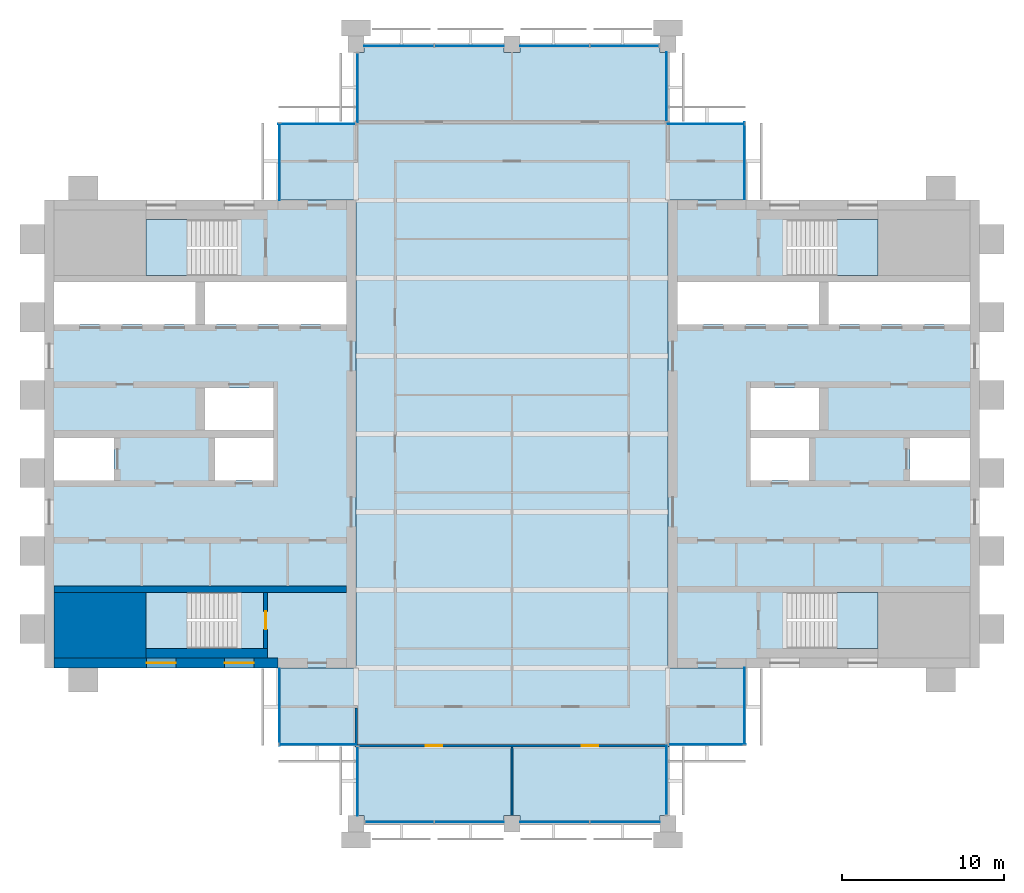
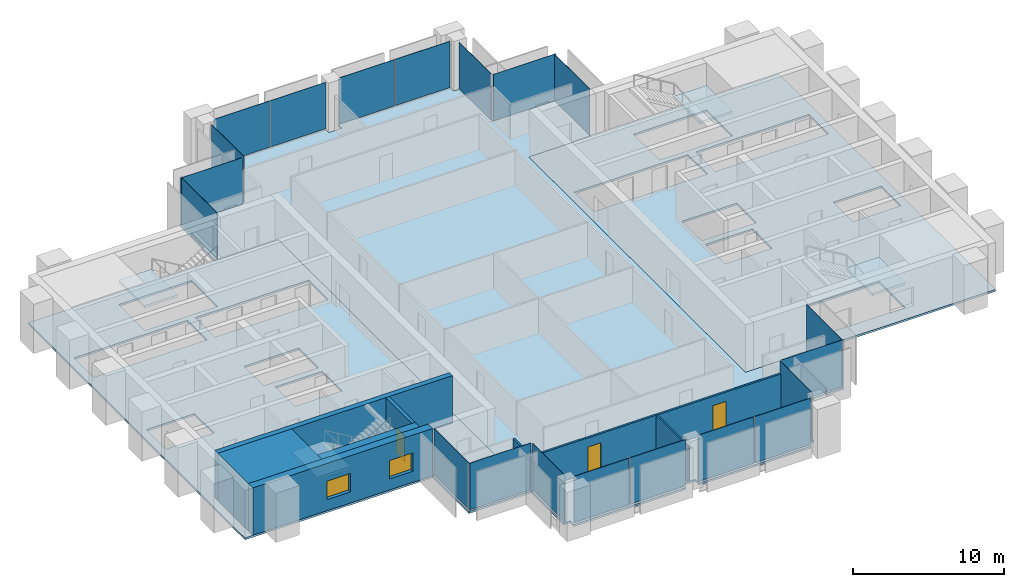
# One storey, part 7 of 12: 20 plates, 8 walls, 7 slabs, 3 doors, 2 windows, 5 openings, 18 elements without a shape of their own.
"""IFC4 building model written with IfcOpenShell, lengths in metres."""

from ifc_helpers import new_model, si_unit, direction, frame, frame_2d, origin, origin_2d, place, context, subcontext, project, spatial, polyline, rectangle, outline, extrude, material, layer, layer_set, type_object, element, fill, aggregate, save


model = new_model("IFC4")

# Units and contexts
model_context = context("Model", 3, precision=1e-05, world=origin(), true_north=direction((0.0, 1.0)))
body_context = subcontext(model_context, "Body", "Model", "MODEL_VIEW")
ifc_project = project(units=[si_unit("LENGTHUNIT", "METRE"), si_unit("AREAUNIT", "SQUARE_METRE"), si_unit("VOLUMEUNIT", "CUBIC_METRE"), si_unit("PLANEANGLEUNIT", "RADIAN"), si_unit("MASSUNIT", "GRAM", prefix="KILO")], contexts=[model_context])

# Site, building, storey
site_placement = place(None, origin())
site = spatial("IfcSite", under=ifc_project, at=site_placement, CompositionType="ELEMENT")
building_placement = place(site_placement, origin())
building = spatial("IfcBuilding", under=site, at=building_placement, Name="Baori Bourse Tower", CompositionType="ELEMENT")
storey_placement = place(building_placement, frame((0.0, 0.0, 310.300048828125)))
storey = spatial("IfcBuildingStorey", under=building, at=storey_placement, Name="L68", CompositionType="ELEMENT", Elevation=310.300048828125)

# Curtain wall, plate
ifc_material_1 = material(Name="Pale anodised aluminium", Category="aluminium")
curtain_wall_type_1 = type_object("IfcCurtainWallType", Name="CW2 Curtain wall", PredefinedType="NOTDEFINED", material=ifc_material_1)
curtain_wall_1_placement = place(storey_placement, origin())
curtain_wall_1 = element("IfcCurtainWall", 1, at=curtain_wall_1_placement, inside=storey, type_object=curtain_wall_type_1, Name="Curtain wall CW2 L68 1", PredefinedType="NOTDEFINED")
ifc_material_2 = material(Name="Clear glass", Category="glass")
ifc_layer_1 = layer(ifc_material_2, 0.030029296875)
ifc_layer_set_1 = layer_set([ifc_layer_1], Name="CW2 Curtain wall panel")
plate_type_1 = type_object("IfcPlateType", Name="CW2 Curtain wall panel", PredefinedType="CURTAIN_PANEL", material=ifc_layer_set_1)
plate_1_placement = place(storey_placement, frame((43.110107421875, 40.827392578125, 0.06982421875), z_axis=(0.0, 0.0, 1.0), x_axis=(0.0, 1.0, 0.0)))
plate_1 = element("IfcPlate", 2, at=plate_1_placement, type_object=plate_type_1, Name="Curtain wall CW2 panel", PredefinedType="CURTAIN_PANEL", context=body_context, shape_type="SweptSolid", body=[
    extrude(rectangle(XDim=4.7451171875, YDim=0.030029296875, at=origin_2d()), origin(), (0.0, 0.0, 1.0), 3.77001953125),
])
aggregate(curtain_wall_1, [plate_1])

curtain_wall_2_placement = place(storey_placement, origin())
curtain_wall_2 = element("IfcCurtainWall", 3, at=curtain_wall_2_placement, inside=storey, type_object=curtain_wall_type_1, Name="Curtain wall CW2 L68 2", PredefinedType="NOTDEFINED")
plate_2_placement = place(storey_placement, frame((40.7724609375, 43.110107421875, 0.06982421875), z_axis=(0.0, 0.0, 1.0), x_axis=(-1.0, 0.0, 0.0)))
plate_2 = element("IfcPlate", 4, at=plate_2_placement, type_object=plate_type_1, Name="Curtain wall CW2 panel", PredefinedType="CURTAIN_PANEL", context=body_context, shape_type="SweptSolid", body=[
    extrude(rectangle(XDim=4.7451171875, YDim=0.030029296875, at=origin_2d()), origin(), (0.0, 0.0, 1.0), 3.77001953125),
])
aggregate(curtain_wall_2, [plate_2])

curtain_wall_3_placement = place(storey_placement, origin())
curtain_wall_3 = element("IfcCurtainWall", 5, at=curtain_wall_3_placement, inside=storey, type_object=curtain_wall_type_1, Name="Curtain wall CW2 L68 3", PredefinedType="NOTDEFINED")
plate_3_placement = place(storey_placement, frame((38.31005859375, 45.37744140625, 0.06982421875), z_axis=(0.0, 0.0, 1.0), x_axis=(0.0, 1.0, 0.0)))
plate_3 = element("IfcPlate", 6, at=plate_3_placement, type_object=plate_type_1, Name="Curtain wall CW2 panel", PredefinedType="CURTAIN_PANEL", context=body_context, shape_type="SweptSolid", body=[
    extrude(rectangle(XDim=4.2451171875, YDim=0.030029296875, at=origin_2d()), origin(), (0.0, 0.0, 1.0), 3.77001953125),
])
aggregate(curtain_wall_3, [plate_3])

curtain_wall_4_placement = place(storey_placement, origin())
curtain_wall_4 = element("IfcCurtainWall", 7, at=curtain_wall_4_placement, inside=storey, type_object=curtain_wall_type_1, Name="Curtain wall CW2 L68 5", PredefinedType="NOTDEFINED")
plate_4_placement = place(storey_placement, frame((19.2900390625, 45.322509765625, 0.06982421875), z_axis=(0.0, 0.0, 1.0), x_axis=(0.0, -1.0, 0.0)))
plate_4 = element("IfcPlate", 8, at=plate_4_placement, type_object=plate_type_1, Name="Curtain wall CW2 panel", PredefinedType="CURTAIN_PANEL", context=body_context, shape_type="SweptSolid", body=[
    extrude(rectangle(XDim=4.2451171875, YDim=0.030029296875, at=origin_2d()), origin(), (0.0, 0.0, 1.0), 3.77001953125),
])
aggregate(curtain_wall_4, [plate_4])

curtain_wall_5_placement = place(storey_placement, origin())
curtain_wall_5 = element("IfcCurtainWall", 9, at=curtain_wall_5_placement, inside=storey, type_object=curtain_wall_type_1, Name="Curtain wall CW2 L68 6", PredefinedType="NOTDEFINED")
plate_5_placement = place(storey_placement, frame((16.7724609375, 43.110107421875, 0.06982421875), z_axis=(0.0, 0.0, 1.0), x_axis=(-1.0, 0.0, 0.0)))
plate_5 = element("IfcPlate", 10, at=plate_5_placement, type_object=plate_type_1, Name="Curtain wall CW2 panel", PredefinedType="CURTAIN_PANEL", context=body_context, shape_type="SweptSolid", body=[
    extrude(rectangle(XDim=4.7451171875, YDim=0.030029296875, at=origin_2d()), origin(), (0.0, 0.0, 1.0), 3.77001953125),
])
aggregate(curtain_wall_5, [plate_5])

curtain_wall_6_placement = place(storey_placement, origin())
curtain_wall_6 = element("IfcCurtainWall", 11, at=curtain_wall_6_placement, inside=storey, type_object=curtain_wall_type_1, Name="Curtain wall CW2 L68 7", PredefinedType="NOTDEFINED")
plate_6_placement = place(storey_placement, frame((14.489990234375, 40.7724609375, 0.06982421875), z_axis=(0.0, 0.0, 1.0), x_axis=(0.0, -1.0, 0.0)))
plate_6 = element("IfcPlate", 12, at=plate_6_placement, type_object=plate_type_1, Name="Curtain wall CW2 panel", PredefinedType="CURTAIN_PANEL", context=body_context, shape_type="SweptSolid", body=[
    extrude(rectangle(XDim=4.7451171875, YDim=0.030029296875, at=origin_2d()), origin(), (0.0, 0.0, 1.0), 3.77001953125),
])
aggregate(curtain_wall_6, [plate_6])

curtain_wall_7_placement = place(storey_placement, origin())
curtain_wall_7 = element("IfcCurtainWall", 13, at=curtain_wall_7_placement, inside=storey, type_object=curtain_wall_type_1, Name="Curtain wall CW2 L68 8", PredefinedType="NOTDEFINED")
plate_7_placement = place(storey_placement, frame((14.489990234375, 7.172607421875, 0.06982421875), z_axis=(0.0, 0.0, 1.0), x_axis=(0.0, -1.0, 0.0)))
plate_7 = element("IfcPlate", 14, at=plate_7_placement, type_object=plate_type_1, Name="Curtain wall CW2 panel", PredefinedType="CURTAIN_PANEL", context=body_context, shape_type="SweptSolid", body=[
    extrude(rectangle(XDim=4.7451171875, YDim=0.030029296875, at=origin_2d()), origin(), (0.0, 0.0, 1.0), 3.77001953125),
])
aggregate(curtain_wall_7, [plate_7])

curtain_wall_8_placement = place(storey_placement, origin())
curtain_wall_8 = element("IfcCurtainWall", 15, at=curtain_wall_8_placement, inside=storey, type_object=curtain_wall_type_1, Name="Curtain wall CW2 L68 9", PredefinedType="NOTDEFINED")
plate_8_placement = place(storey_placement, frame((16.827392578125, 4.889892578125, 0.06982421875), z_axis=(0.0, 0.0, 1.0), x_axis=(1.0, 0.0, 0.0)))
plate_8 = element("IfcPlate", 16, at=plate_8_placement, type_object=plate_type_1, Name="Curtain wall CW2 panel", PredefinedType="CURTAIN_PANEL", context=body_context, shape_type="SweptSolid", body=[
    extrude(rectangle(XDim=4.7451171875, YDim=0.030029296875, at=origin_2d()), origin(), (0.0, 0.0, 1.0), 3.77001953125),
])
aggregate(curtain_wall_8, [plate_8])

curtain_wall_9_placement = place(storey_placement, origin())
curtain_wall_9 = element("IfcCurtainWall", 17, at=curtain_wall_9_placement, inside=storey, type_object=curtain_wall_type_1, Name="Curtain wall CW2 L68 10", PredefinedType="NOTDEFINED")
plate_9_placement = place(storey_placement, frame((19.2900390625, 2.62255859375, 0.06982421875), z_axis=(0.0, 0.0, 1.0), x_axis=(0.0, -1.0, 0.0)))
plate_9 = element("IfcPlate", 18, at=plate_9_placement, type_object=plate_type_1, Name="Curtain wall CW2 panel", PredefinedType="CURTAIN_PANEL", context=body_context, shape_type="SweptSolid", body=[
    extrude(rectangle(XDim=4.2451171875, YDim=0.030029296875, at=origin_2d()), origin(), (0.0, 0.0, 1.0), 3.77001953125),
])
aggregate(curtain_wall_9, [plate_9])

curtain_wall_10_placement = place(storey_placement, origin())
curtain_wall_10 = element("IfcCurtainWall", 19, at=curtain_wall_10_placement, inside=storey, type_object=curtain_wall_type_1, Name="Curtain wall CW2 L68 12", PredefinedType="NOTDEFINED")
plate_10_placement = place(storey_placement, frame((38.31005859375, 2.677490234375, 0.06982421875), z_axis=(0.0, 0.0, 1.0), x_axis=(0.0, 1.0, 0.0)))
plate_10 = element("IfcPlate", 20, at=plate_10_placement, type_object=plate_type_1, Name="Curtain wall CW2 panel", PredefinedType="CURTAIN_PANEL", context=body_context, shape_type="SweptSolid", body=[
    extrude(rectangle(XDim=4.2451171875, YDim=0.030029296875, at=origin_2d()), origin(), (0.0, 0.0, 1.0), 3.77001953125),
])
aggregate(curtain_wall_10, [plate_10])

curtain_wall_11_placement = place(storey_placement, origin())
curtain_wall_11 = element("IfcCurtainWall", 21, at=curtain_wall_11_placement, inside=storey, type_object=curtain_wall_type_1, Name="Curtain wall CW2 L68 13", PredefinedType="NOTDEFINED")
plate_11_placement = place(storey_placement, frame((40.827392578125, 4.889892578125, 0.06982421875), z_axis=(0.0, 0.0, 1.0), x_axis=(1.0, 0.0, 0.0)))
plate_11 = element("IfcPlate", 22, at=plate_11_placement, type_object=plate_type_1, Name="Curtain wall CW2 panel", PredefinedType="CURTAIN_PANEL", context=body_context, shape_type="SweptSolid", body=[
    extrude(rectangle(XDim=4.7451171875, YDim=0.030029296875, at=origin_2d()), origin(), (0.0, 0.0, 1.0), 3.77001953125),
])
aggregate(curtain_wall_11, [plate_11])

curtain_wall_12_placement = place(storey_placement, origin())
curtain_wall_12 = element("IfcCurtainWall", 23, at=curtain_wall_12_placement, inside=storey, type_object=curtain_wall_type_1, Name="Curtain wall CW2 L68 14", PredefinedType="NOTDEFINED")
plate_12_placement = place(storey_placement, frame((43.110107421875, 7.2275390625, 0.06982421875), z_axis=(0.0, 0.0, 1.0), x_axis=(0.0, 1.0, 0.0)))
plate_12 = element("IfcPlate", 24, at=plate_12_placement, type_object=plate_type_1, Name="Curtain wall CW2 panel", PredefinedType="CURTAIN_PANEL", context=body_context, shape_type="SweptSolid", body=[
    extrude(rectangle(XDim=4.7451171875, YDim=0.030029296875, at=origin_2d()), origin(), (0.0, 0.0, 1.0), 3.77001953125),
])
aggregate(curtain_wall_12, [plate_12])

# Curtain wall, plates
ifc_material_3 = material(Name="Pale anodised aluminium", Category="aluminium")
curtain_wall_type_2 = type_object("IfcCurtainWallType", Name="CW5 Curtain wall", PredefinedType="NOTDEFINED", material=ifc_material_3)
curtain_wall_13_placement = place(storey_placement, origin())
curtain_wall_13 = element("IfcCurtainWall", 25, at=curtain_wall_13_placement, inside=storey, type_object=curtain_wall_type_2, Name="Curtain wall CW5 L68 4", PredefinedType="NOTDEFINED")
ifc_material_4 = material(Name="Clear glass", Category="glass")
ifc_layer_2 = layer(ifc_material_4, 0.035888671875)
ifc_layer_set_2 = layer_set([ifc_layer_2], Name="CW5 Curtain wall panel")
plate_type_2 = type_object("IfcPlateType", Name="CW5 Curtain wall panel", PredefinedType="CURTAIN_PANEL", material=ifc_layer_set_2)
plate_13_placement = place(storey_placement, frame((35.733642578125, 47.889892578125, 0.0849609375), z_axis=(0.0, 0.0, 1.0), x_axis=(-1.0, 0.0, 0.0)))
plate_13 = element("IfcPlate", 26, at=plate_13_placement, type_object=plate_type_2, Name="Curtain wall CW5 panel", PredefinedType="CURTAIN_PANEL", context=body_context, shape_type="SweptSolid", body=[
    extrude(rectangle(XDim=4.202392578125, YDim=0.035888671875, at=origin_2d()), origin(), (0.0, 0.0, 1.0), 3.7548828125),
])
plate_14_placement = place(storey_placement, frame((31.433837890625, 47.889892578125, 0.0849609375), z_axis=(0.0, 0.0, 1.0), x_axis=(-1.0, 0.0, 0.0)))
plate_14 = element("IfcPlate", 27, at=plate_14_placement, type_object=plate_type_2, Name="Curtain wall CW5 panel", PredefinedType="CURTAIN_PANEL", context=body_context, shape_type="SweptSolid", body=[
    extrude(rectangle(XDim=4.267578125, YDim=0.035888671875, at=origin_2d()), origin(), (0.0, 0.0, 1.0), 3.7548828125),
])
plate_15_placement = place(storey_placement, frame((26.166259765625, 47.889892578125, 0.0849609375), z_axis=(0.0, 0.0, 1.0), x_axis=(-1.0, 0.0, 0.0)))
plate_15 = element("IfcPlate", 28, at=plate_15_placement, type_object=plate_type_2, Name="Curtain wall CW5 panel", PredefinedType="CURTAIN_PANEL", context=body_context, shape_type="SweptSolid", body=[
    extrude(rectangle(XDim=4.267578125, YDim=0.035888671875, at=origin_2d()), origin(), (0.0, 0.0, 1.0), 3.7548828125),
])
plate_16_placement = place(storey_placement, frame((21.833740234375, 47.889892578125, 0.0849609375), z_axis=(0.0, 0.0, 1.0), x_axis=(-1.0, 0.0, 0.0)))
plate_16 = element("IfcPlate", 29, at=plate_16_placement, type_object=plate_type_2, Name="Curtain wall CW5 panel", PredefinedType="CURTAIN_PANEL", context=body_context, shape_type="SweptSolid", body=[
    extrude(rectangle(XDim=4.267578125, YDim=0.035888671875, at=origin_2d()), origin(), (0.0, 0.0, 1.0), 3.7548828125),
])
aggregate(curtain_wall_13, [plate_13, plate_14, plate_15, plate_16])

curtain_wall_14_placement = place(storey_placement, origin())
curtain_wall_14 = element("IfcCurtainWall", 30, at=curtain_wall_14_placement, inside=storey, type_object=curtain_wall_type_2, Name="Curtain wall CW5 L68 11", PredefinedType="NOTDEFINED")
plate_17_placement = place(storey_placement, frame((21.8662109375, 0.110107421875, 0.0849609375), z_axis=(0.0, 0.0, 1.0), x_axis=(1.0, 0.0, 0.0)))
plate_17 = element("IfcPlate", 31, at=plate_17_placement, type_object=plate_type_2, Name="Curtain wall CW5 panel", PredefinedType="CURTAIN_PANEL", context=body_context, shape_type="SweptSolid", body=[
    extrude(rectangle(XDim=4.202392578125, YDim=0.035888671875, at=origin_2d()), origin(), (0.0, 0.0, 1.0), 3.7548828125),
])
plate_18_placement = place(storey_placement, frame((26.166259765625, 0.110107421875, 0.0849609375), z_axis=(0.0, 0.0, 1.0), x_axis=(1.0, 0.0, 0.0)))
plate_18 = element("IfcPlate", 32, at=plate_18_placement, type_object=plate_type_2, Name="Curtain wall CW5 panel", PredefinedType="CURTAIN_PANEL", context=body_context, shape_type="SweptSolid", body=[
    extrude(rectangle(XDim=4.267578125, YDim=0.035888671875, at=origin_2d()), origin(), (0.0, 0.0, 1.0), 3.7548828125),
])
plate_19_placement = place(storey_placement, frame((31.433837890625, 0.110107421875, 0.0849609375), z_axis=(0.0, 0.0, 1.0), x_axis=(1.0, 0.0, 0.0)))
plate_19 = element("IfcPlate", 33, at=plate_19_placement, type_object=plate_type_2, Name="Curtain wall CW5 panel", PredefinedType="CURTAIN_PANEL", context=body_context, shape_type="SweptSolid", body=[
    extrude(rectangle(XDim=4.267578125, YDim=0.035888671875, at=origin_2d()), origin(), (0.0, 0.0, 1.0), 3.7548828125),
])
plate_20_placement = place(storey_placement, frame((35.766357421875, 0.110107421875, 0.0849609375), z_axis=(0.0, 0.0, 1.0), x_axis=(1.0, 0.0, 0.0)))
plate_20 = element("IfcPlate", 34, at=plate_20_placement, type_object=plate_type_2, Name="Curtain wall CW5 panel", PredefinedType="CURTAIN_PANEL", context=body_context, shape_type="SweptSolid", body=[
    extrude(rectangle(XDim=4.267578125, YDim=0.035888671875, at=origin_2d()), origin(), (0.0, 0.0, 1.0), 3.7548828125),
])
aggregate(curtain_wall_14, [plate_17, plate_18, plate_19, plate_20])

# Slabs
ifc_material_5 = material(Name="Concrete f'c 50 MPa", Category="concrete")
ifc_layer_3 = layer(ifc_material_5, 0.159912109375)
ifc_layer_set_3 = layer_set([ifc_layer_3], Name="Core slab 160")
slab_type_1 = type_object("IfcSlabType", Name="Core slab 160", PredefinedType="FLOOR", material=ifc_layer_set_3)
slab_1_placement = place(storey_placement, frame((0.0, 0.0, -0.16015625)))
element("IfcSlab", 35, at=slab_1_placement, inside=storey, type_object=slab_type_1, Name="Core floor slab W01", PredefinedType="FLOOR", context=body_context, shape_type="SweptSolid", body=[
    extrude(outline(polyline([(19.199951171875, 38.39990234375), (0.0, 38.39990234375), (0.0, 9.60009765625), (19.199951171875, 9.60009765625), (19.199951171875, 38.39990234375)]), holes=[polyline([(9.89990234375, 33.35009765625), (18.60009765625, 33.35009765625), (18.60009765625, 30.75), (9.89990234375, 30.75), (9.89990234375, 33.35009765625)]), polyline([(10.5, 21.14990234375), (10.5, 23.75), (14.10009765625, 23.75), (14.10009765625, 21.14990234375), (10.5, 21.14990234375)]), polyline([(14.10009765625, 24.25), (9.89990234375, 24.25), (9.89990234375, 26.85009765625), (14.10009765625, 26.85009765625), (14.10009765625, 24.25)]), polyline([(6.25, 14.25), (11.84912109375, 14.25), (11.84912109375, 10.800048828125), (6.25, 10.800048828125), (6.25, 14.25)]), polyline([(11.84912109375, 37.199951171875), (11.84912109375, 33.75), (6.25, 33.75), (6.25, 37.199951171875), (11.84912109375, 37.199951171875)]), polyline([(0.60009765625, 30.75), (0.60009765625, 33.35009765625), (9.300048828125, 33.35009765625), (9.300048828125, 30.75), (0.60009765625, 30.75)]), polyline([(4.300048828125, 23.75), (4.300048828125, 21.14990234375), (0.60009765625, 21.14990234375), (0.60009765625, 23.75), (4.300048828125, 23.75)])]), origin(), (0.0, 0.0, 1.0), 0.16015625),
])
slab_2_placement = place(storey_placement, frame((0.0, 0.0, -0.16015625)))
element("IfcSlab", 36, at=slab_2_placement, inside=storey, type_object=slab_type_1, Name="Core floor slab E01", PredefinedType="FLOOR", context=body_context, shape_type="SweptSolid", body=[
    extrude(outline(polyline([(57.60009765625, 9.60009765625), (57.60009765625, 38.39990234375), (38.39990234375, 38.39990234375), (38.39990234375, 9.60009765625), (57.60009765625, 9.60009765625)]), holes=[polyline([(48.300048828125, 33.35009765625), (57.0, 33.35009765625), (57.0, 30.75), (48.300048828125, 30.75), (48.300048828125, 33.35009765625)]), polyline([(57.0, 21.14990234375), (53.300048828125, 21.14990234375), (53.300048828125, 23.75), (57.0, 23.75), (57.0, 21.14990234375)]), polyline([(45.750732421875, 14.25), (51.35009765625, 14.25), (51.35009765625, 10.800048828125), (45.750732421875, 10.800048828125), (45.750732421875, 14.25)]), polyline([(51.35009765625, 37.199951171875), (51.35009765625, 33.75), (45.750732421875, 33.75), (45.750732421875, 37.199951171875), (51.35009765625, 37.199951171875)]), polyline([(43.5, 24.25), (43.5, 26.85009765625), (47.699951171875, 26.85009765625), (47.699951171875, 24.25), (43.5, 24.25)]), polyline([(47.699951171875, 33.35009765625), (47.699951171875, 30.75), (39.0, 30.75), (39.0, 33.35009765625), (47.699951171875, 33.35009765625)]), polyline([(43.5, 23.75), (47.10009765625, 23.75), (47.10009765625, 21.14990234375), (43.5, 21.14990234375), (43.5, 23.75)])]), origin(), (0.0, 0.0, 1.0), 0.16015625),
])

# Stair, slab
ifc_material_6 = material(Name="Concrete f'c 50 MPa", Category="concrete")
stair_type = type_object("IfcStairType", Name="Core stair", PredefinedType="HALF_TURN_STAIR", material=ifc_material_6)
stair_1_placement = place(storey_placement, origin())
stair_1 = element("IfcStair", 37, at=stair_1_placement, inside=storey, type_object=stair_type, Name="L68 Stair WA", PredefinedType="HALF_TURN_STAIR")
ifc_material_7 = material(Name="Concrete f'c 50 MPa", Category="concrete")
slab_type_2 = type_object("IfcSlabType", Name="Core stair landing", PredefinedType="LANDING", material=ifc_material_7)
slab_3_placement = place(storey_placement, frame((0.0, 0.0, 1.800048828125)))
slab_3 = element("IfcSlab", 38, at=slab_3_placement, type_object=slab_type_2, Name="ST1 landing 1", PredefinedType="LANDING", context=body_context, shape_type="SweptSolid", body=[
    extrude(outline(polyline([(8.77001953125, 14.25), (6.25, 14.25), (6.25, 10.800048828125), (8.77001953125, 10.800048828125), (8.77001953125, 14.25)])), origin(), (0.0, 0.0, 1.0), 0.199951171875),
])
aggregate(stair_1, [slab_3])

stair_2_placement = place(storey_placement, origin())
stair_2 = element("IfcStair", 39, at=stair_2_placement, inside=storey, type_object=stair_type, Name="L68 Stair WB", PredefinedType="HALF_TURN_STAIR")
slab_4_placement = place(storey_placement, frame((0.0, 0.0, 1.800048828125)))
slab_4 = element("IfcSlab", 40, at=slab_4_placement, type_object=slab_type_2, Name="ST2 landing 1", PredefinedType="LANDING", context=body_context, shape_type="SweptSolid", body=[
    extrude(outline(polyline([(8.77001953125, 37.199951171875), (6.25, 37.199951171875), (6.25, 33.75), (8.77001953125, 33.75), (8.77001953125, 37.199951171875)])), origin(), (0.0, 0.0, 1.0), 0.199951171875),
])
aggregate(stair_2, [slab_4])

stair_3_placement = place(storey_placement, origin())
stair_3 = element("IfcStair", 41, at=stair_3_placement, inside=storey, type_object=stair_type, Name="L68 Stair EA", PredefinedType="HALF_TURN_STAIR")
slab_5_placement = place(storey_placement, frame((0.0, 0.0, 1.800048828125)))
slab_5 = element("IfcSlab", 42, at=slab_5_placement, type_object=slab_type_2, Name="ST3 landing 1", PredefinedType="LANDING", context=body_context, shape_type="SweptSolid", body=[
    extrude(outline(polyline([(48.830078125, 10.800048828125), (51.35009765625, 10.800048828125), (51.35009765625, 14.25), (48.830078125, 14.25), (48.830078125, 10.800048828125)])), origin(), (0.0, 0.0, 1.0), 0.199951171875),
])
aggregate(stair_3, [slab_5])

stair_4_placement = place(storey_placement, origin())
stair_4 = element("IfcStair", 43, at=stair_4_placement, inside=storey, type_object=stair_type, Name="L68 Stair EB", PredefinedType="HALF_TURN_STAIR")
slab_6_placement = place(storey_placement, frame((0.0, 0.0, 1.800048828125)))
slab_6 = element("IfcSlab", 44, at=slab_6_placement, type_object=slab_type_2, Name="ST4 landing 1", PredefinedType="LANDING", context=body_context, shape_type="SweptSolid", body=[
    extrude(outline(polyline([(48.830078125, 33.75), (51.35009765625, 33.75), (51.35009765625, 37.199951171875), (48.830078125, 37.199951171875), (48.830078125, 33.75)])), origin(), (0.0, 0.0, 1.0), 0.199951171875),
])
aggregate(stair_4, [slab_6])

# Slab
ifc_material_8 = material(Name="Concrete f'c 40 MPa", Category="concrete")
ifc_layer_4 = layer(ifc_material_8, 0.159912109375)
ifc_layer_set_4 = layer_set([ifc_layer_4], Name="Floor slab 160")
slab_type_3 = type_object("IfcSlabType", Name="Floor slab 160", PredefinedType="FLOOR", material=ifc_layer_set_4)
slab_7_placement = place(storey_placement, frame((0.0, 0.0, -0.16015625)))
element("IfcSlab", 45, at=slab_7_placement, inside=storey, type_object=slab_type_3, Name="Floor slab L68", PredefinedType="FLOOR", context=body_context, shape_type="SweptSolid", body=[
    extrude(outline(polyline([(19.199951171875, 4.800048828125), (14.39990234375, 4.800048828125), (14.39990234375, 9.60009765625), (19.199951171875, 9.60009765625), (19.199951171875, 38.39990234375), (14.39990234375, 38.39990234375), (14.39990234375, 43.199951171875), (19.199951171875, 43.199951171875), (19.199951171875, 47.5), (19.699951171875, 47.5), (19.699951171875, 48.0), (28.300048828125, 48.0), (28.300048828125, 47.5), (29.300048828125, 47.5), (29.300048828125, 48.0), (37.89990234375, 48.0), (37.89990234375, 47.5), (38.39990234375, 47.5), (38.39990234375, 43.199951171875), (43.199951171875, 43.199951171875), (43.199951171875, 38.39990234375), (38.39990234375, 38.39990234375), (38.39990234375, 9.60009765625), (43.199951171875, 9.60009765625), (43.199951171875, 4.800048828125), (38.39990234375, 4.800048828125), (38.39990234375, 0.5), (37.89990234375, 0.5), (37.89990234375, 0.0), (29.300048828125, 0.0), (29.300048828125, 0.5), (28.300048828125, 0.5), (28.300048828125, 0.0), (19.699951171875, 0.0), (19.699951171875, 0.5), (19.199951171875, 0.5), (19.199951171875, 4.800048828125)])), origin(), (0.0, 0.0, 1.0), 0.16015625),
])

# Wall
ifc_material_9 = material(Name="Concrete f'c 40 MPa", Category="concrete")
wall_type_1 = type_object("IfcWallType", Name="Core corner block f'c 40", PredefinedType="SHEAR", material=ifc_material_9)
wall_1_placement = place(storey_placement, frame((0.60009765625, 12.22509765625, 0.0), z_axis=(0.0, 0.0, 1.0), x_axis=(1.0, 0.0, 0.0)))
element("IfcWall", 46, at=wall_1_placement, inside=storey, type_object=wall_type_1, Name="Core wall W05", PredefinedType="SHEAR", context=body_context, shape_type="SweptSolid", body=[
    extrude(rectangle(XDim=5.64990234375, YDim=4.050048828125, at=frame_2d((2.824951171875, 0.0))), origin(), (0.0, 0.0, 1.0), 3.83984375),
])

# Wall, openings, windows
ifc_material_10 = material(Name="Concrete f'c 40 MPa", Category="concrete")
ifc_layer_5 = layer(ifc_material_10, 0.60009765625)
ifc_layer_set_5 = layer_set([ifc_layer_5], Name="Core wall 600 f'c 40")
wall_type_2 = type_object("IfcWallType", Name="Core wall 600 f'c 40", PredefinedType="SHEAR", material=ifc_layer_set_5)
wall_2_placement = place(storey_placement, frame((14.39990234375, 9.89990234375, 0.0), z_axis=(0.0, 0.0, 1.0), x_axis=(-1.0, 0.0, 0.0)))
wall_2 = element("IfcWall", 47, at=wall_2_placement, inside=storey, type_object=wall_type_2, Name="Core wall W02", PredefinedType="SHEAR", context=body_context, shape_type="SweptSolid", body=[
    extrude(rectangle(XDim=13.7998046875, YDim=0.60009765625, at=frame_2d((6.89990234375, 0.0))), origin(), (0.0, 0.0, 1.0), 3.83984375),
])
opening_1_placement = place(wall_2_placement, frame((6.300048828125, 0.0, 0.89990234375)))
opening_1 = element("IfcOpeningElement", 48, at=opening_1_placement, cuts=wall_2, Name="Opening L68-KW103", PredefinedType="OPENING", context=body_context, shape_type="SweptSolid", body=[
    extrude(rectangle(XDim=1.800048828125, YDim=1.5, at=frame_2d((0.89990234375, 0.75))), frame((0.0, 0.31005859375, 0.0), z_axis=(0.0, -1.0, 0.0), x_axis=(1.0, 0.0, 0.0)), (0.0, 0.0, 1.0), 0.6201171875),
])
opening_2_placement = place(wall_2_placement, frame((1.5, 0.0, 0.89990234375)))
opening_2 = element("IfcOpeningElement", 49, at=opening_2_placement, cuts=wall_2, Name="Opening L68-KW104", PredefinedType="OPENING", context=body_context, shape_type="SweptSolid", body=[
    extrude(rectangle(XDim=1.800048828125, YDim=1.5, at=frame_2d((0.89990234375, 0.75))), frame((0.0, 0.31005859375, 0.0), z_axis=(0.0, -1.0, 0.0), x_axis=(1.0, 0.0, 0.0)), (0.0, 0.0, 1.0), 0.6201171875),
])
ifc_material_11 = material(Name="Pale anodised aluminium", Category="aluminium")
window_type = type_object("IfcWindowType", Name="Stair window 1800 x 1500", PartitioningType="SINGLE_PANEL", PredefinedType="WINDOW", material=ifc_material_11)
window_1_placement = place(opening_1_placement, origin())
window_1 = element("IfcWindow", 50, at=window_1_placement, inside=storey, type_object=window_type, Name="Stair window W L68 3", OverallHeight=1.5, OverallWidth=1.800048828125, PartitioningType="SINGLE_PANEL", PredefinedType="WINDOW", context=body_context, shape_type="SweptSolid", body=[
    extrude(rectangle(XDim=1.800048828125, YDim=1.5, at=frame_2d((0.89990234375, 0.75))), frame((0.0, 0.030029296875, 0.0), z_axis=(0.0, -1.0, 0.0), x_axis=(1.0, 0.0, 0.0)), (0.0, 0.0, 1.0), 0.06005859375),
])
fill(opening_1, window_1)
window_2_placement = place(opening_2_placement, origin())
window_2 = element("IfcWindow", 51, at=window_2_placement, inside=storey, type_object=window_type, Name="Stair window W L68 4", OverallHeight=1.5, OverallWidth=1.800048828125, PartitioningType="SINGLE_PANEL", PredefinedType="WINDOW", context=body_context, shape_type="SweptSolid", body=[
    extrude(rectangle(XDim=1.800048828125, YDim=1.5, at=frame_2d((0.89990234375, 0.75))), frame((0.0, 0.030029296875, 0.0), z_axis=(0.0, -1.0, 0.0), x_axis=(1.0, 0.0, 0.0)), (0.0, 0.0, 1.0), 0.06005859375),
])
fill(opening_2, window_2)

# Wall, openings, doors
ifc_material_12 = material(Name="Gypsum board partition")
ifc_layer_6 = layer(ifc_material_12, 0.14990234375)
ifc_layer_set_6 = layer_set([ifc_layer_6], Name="Corridor partition 150")
wall_type_3 = type_object("IfcWallType", Name="Corridor partition 150", PredefinedType="PARTITIONING", material=ifc_layer_set_6)
wall_3_placement = place(storey_placement, frame((19.125, 4.800048828125, 0.0), z_axis=(0.0, 0.0, 1.0), x_axis=(1.0, 0.0, 0.0)))
wall_3 = element("IfcWall", 52, at=wall_3_placement, inside=storey, type_object=wall_type_3, Name="Partition", PredefinedType="PARTITIONING", context=body_context, shape_type="SweptSolid", body=[
    extrude(rectangle(XDim=19.35009765625, YDim=0.14990234375, at=frame_2d((9.675048828125, 0.0))), origin(), (0.0, 0.0, 1.0), 2.849365234375),
])
opening_3_placement = place(wall_3_placement, frame((4.375, 0.0, 0.0)))
opening_3 = element("IfcOpeningElement", 53, at=opening_3_placement, cuts=wall_3, Name="Opening L68-D01", PredefinedType="OPENING", context=body_context, shape_type="SweptSolid", body=[
    extrude(rectangle(XDim=1.0, YDim=2.10009765625, at=frame_2d((0.5, 1.050048828125))), frame((0.0, 0.0849609375, 0.0), z_axis=(0.0, -1.0, 0.0), x_axis=(1.0, 0.0, 0.0)), (0.0, 0.0, 1.0), 0.169921875),
])
opening_4_placement = place(wall_3_placement, frame((13.97509765625, 0.0, 0.0)))
opening_4 = element("IfcOpeningElement", 54, at=opening_4_placement, cuts=wall_3, Name="Opening L68-D02", PredefinedType="OPENING", context=body_context, shape_type="SweptSolid", body=[
    extrude(rectangle(XDim=1.0, YDim=2.10009765625, at=frame_2d((0.5, 1.050048828125))), frame((0.0, 0.0849609375, 0.0), z_axis=(0.0, -1.0, 0.0), x_axis=(1.0, 0.0, 0.0)), (0.0, 0.0, 1.0), 0.169921875),
])
ifc_material_13 = material(Name="Timber door leaf", Category="wood")
door_type_1 = type_object("IfcDoorType", Name="Door 1000 x 2100", OperationType="SINGLE_SWING_LEFT", PredefinedType="DOOR", material=ifc_material_13)
door_1_placement = place(opening_3_placement, origin())
door_1 = element("IfcDoor", 55, at=door_1_placement, inside=storey, type_object=door_type_1, Name="Door", OperationType="SINGLE_SWING_LEFT", OverallHeight=2.10009765625, OverallWidth=1.0, PredefinedType="DOOR", context=body_context, shape_type="SweptSolid", body=[
    extrude(rectangle(XDim=1.0, YDim=2.10009765625, at=frame_2d((0.5, 1.050048828125))), frame((0.0, 0.02490234375, 0.0), z_axis=(0.0, -1.0, 0.0), x_axis=(1.0, 0.0, 0.0)), (0.0, 0.0, 1.0), 0.050048828125),
])
fill(opening_3, door_1)
door_2_placement = place(opening_4_placement, origin())
door_2 = element("IfcDoor", 56, at=door_2_placement, inside=storey, type_object=door_type_1, Name="Door", OperationType="SINGLE_SWING_RIGHT", OverallHeight=2.10009765625, OverallWidth=1.0, PredefinedType="DOOR", context=body_context, shape_type="SweptSolid", body=[
    extrude(rectangle(XDim=1.0, YDim=2.10009765625, at=frame_2d((0.5, 1.050048828125))), frame((0.0, 0.02490234375, 0.0), z_axis=(0.0, -1.0, 0.0), x_axis=(1.0, 0.0, 0.0)), (0.0, 0.0, 1.0), 0.050048828125),
])
fill(opening_4, door_2)

# Walls
wall_4_placement = place(storey_placement, frame((19.199951171875, 4.875, 0.0), z_axis=(0.0, 0.0, 1.0), x_axis=(0.0, 1.0, 0.0)))
element("IfcWall", 57, at=wall_4_placement, inside=storey, type_object=wall_type_3, Name="Partition", PredefinedType="PARTITIONING", context=body_context, shape_type="SweptSolid", body=[
    extrude(rectangle(XDim=2.25, YDim=0.14990234375, at=frame_2d((1.125, 0.0))), origin(), (0.0, 0.0, 1.0), 2.849365234375),
])
ifc_material_14 = material(Name="Gypsum board partition")
ifc_layer_7 = layer(ifc_material_14, 0.125)
ifc_layer_set_7 = layer_set([ifc_layer_7], Name="Partition 125")
wall_type_4 = type_object("IfcWallType", Name="Partition 125", PredefinedType="PARTITIONING", material=ifc_layer_set_7)
wall_5_placement = place(storey_placement, frame((28.800048828125, 0.5, 0.0), z_axis=(0.0, 0.0, 1.0), x_axis=(0.0, 1.0, 0.0)))
element("IfcWall", 58, at=wall_5_placement, inside=storey, type_object=wall_type_4, Name="Partition", PredefinedType="PARTITIONING", context=body_context, shape_type="SweptSolid", body=[
    extrude(rectangle(XDim=4.22509765625, YDim=0.125, at=frame_2d((2.112548828125, 0.0))), origin(), (0.0, 0.0, 1.0), 2.849365234375),
])

# Wall, opening, door
ifc_material_15 = material(Name="Concrete f'c 40 MPa", Category="concrete")
ifc_layer_8 = layer(ifc_material_15, 0.25)
ifc_layer_set_8 = layer_set([ifc_layer_8], Name="Shaft wall 250 f'c 40")
wall_type_5 = type_object("IfcWallType", Name="Shaft wall 250 f'c 40", PredefinedType="SHEAR", material=ifc_layer_set_8)
wall_6_placement = place(storey_placement, frame((13.625, 10.800048828125, 0.0), z_axis=(0.0, 0.0, 1.0), x_axis=(0.0, 1.0, 0.0)))
wall_6 = element("IfcWall", 59, at=wall_6_placement, inside=storey, type_object=wall_type_5, Name="Core wall W07", PredefinedType="SHEAR", context=body_context, shape_type="SweptSolid", body=[
    extrude(rectangle(XDim=3.449951171875, YDim=0.25, at=frame_2d((1.72509765625, 0.0))), origin(), (0.0, 0.0, 1.0), 3.83984375),
])
opening_5_placement = place(wall_6_placement, frame((1.175048828125, 0.0, 0.0)))
opening_5 = element("IfcOpeningElement", 60, at=opening_5_placement, cuts=wall_6, Name="Opening L68-D101", PredefinedType="OPENING", context=body_context, shape_type="SweptSolid", body=[
    extrude(rectangle(XDim=1.10009765625, YDim=2.10009765625, at=frame_2d((0.550048828125, 1.050048828125))), frame((0.0, 0.135009765625, 0.0), z_axis=(0.0, -1.0, 0.0), x_axis=(1.0, 0.0, 0.0)), (0.0, 0.0, 1.0), 0.27001953125),
])
ifc_material_16 = material(Name="Painted steel door", Category="steel")
door_type_2 = type_object("IfcDoorType", Name="Stair door 1100", OperationType="SINGLE_SWING_LEFT", PredefinedType="DOOR", material=ifc_material_16)
door_3_placement = place(opening_5_placement, origin())
door_3 = element("IfcDoor", 61, at=door_3_placement, inside=storey, type_object=door_type_2, Name="Stair door A W L68", OperationType="SINGLE_SWING_LEFT", OverallHeight=2.10009765625, OverallWidth=1.10009765625, PredefinedType="DOOR", context=body_context, shape_type="SweptSolid", body=[
    extrude(rectangle(XDim=1.10009765625, YDim=2.10009765625, at=frame_2d((0.550048828125, 1.050048828125))), frame((0.0, 0.02490234375, 0.0), z_axis=(0.0, -1.0, 0.0), x_axis=(1.0, 0.0, 0.0)), (0.0, 0.0, 1.0), 0.050048828125),
])
fill(opening_5, door_3)

# Walls
ifc_material_17 = material(Name="Concrete f'c 40 MPa", Category="concrete")
ifc_layer_9 = layer(ifc_material_17, 0.39990234375)
ifc_layer_set_9 = layer_set([ifc_layer_9], Name="Shaft wall 400 f'c 40")
wall_type_6 = type_object("IfcWallType", Name="Shaft wall 400 f'c 40", PredefinedType="SHEAR", material=ifc_layer_set_9)
wall_7_placement = place(storey_placement, frame((0.60009765625, 14.449951171875, 0.0), z_axis=(0.0, 0.0, 1.0), x_axis=(1.0, 0.0, 0.0)))
element("IfcWall", 62, at=wall_7_placement, inside=storey, type_object=wall_type_6, Name="Core wall W08", PredefinedType="SHEAR", context=body_context, shape_type="SweptSolid", body=[
    extrude(rectangle(XDim=18.0, YDim=0.39990234375, at=frame_2d((9.0, 0.0))), origin(), (0.0, 0.0, 1.0), 3.83984375),
])
ifc_material_18 = material(Name="Concrete f'c 40 MPa", Category="concrete")
ifc_layer_10 = layer(ifc_material_18, 0.60009765625)
ifc_layer_set_10 = layer_set([ifc_layer_10], Name="Shaft wall 600 f'c 40")
wall_type_7 = type_object("IfcWallType", Name="Shaft wall 600 f'c 40", PredefinedType="SHEAR", material=ifc_layer_set_10)
wall_8_placement = place(storey_placement, frame((6.25, 10.5, 0.0), z_axis=(0.0, 0.0, 1.0), x_axis=(1.0, 0.0, 0.0)))
element("IfcWall", 63, at=wall_8_placement, inside=storey, type_object=wall_type_7, Name="Core wall W06", PredefinedType="SHEAR", context=body_context, shape_type="SweptSolid", body=[
    extrude(rectangle(XDim=7.5, YDim=0.60009765625, at=frame_2d((3.75, 0.0))), origin(), (0.0, 0.0, 1.0), 3.83984375),
])

save(model, "model.ifc")
